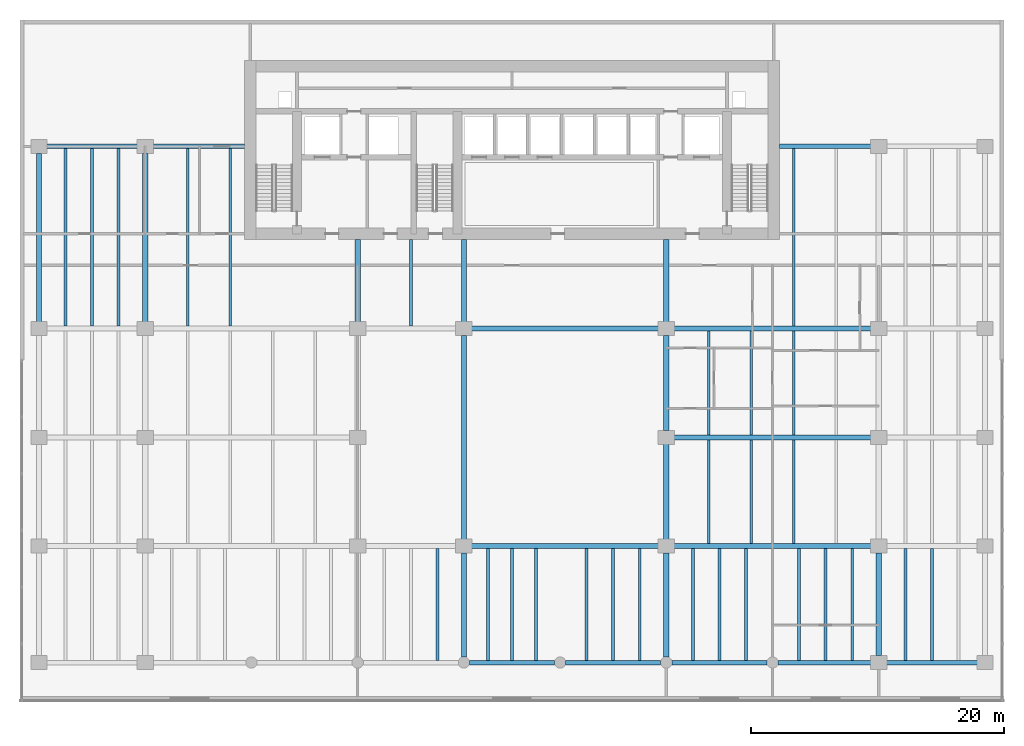
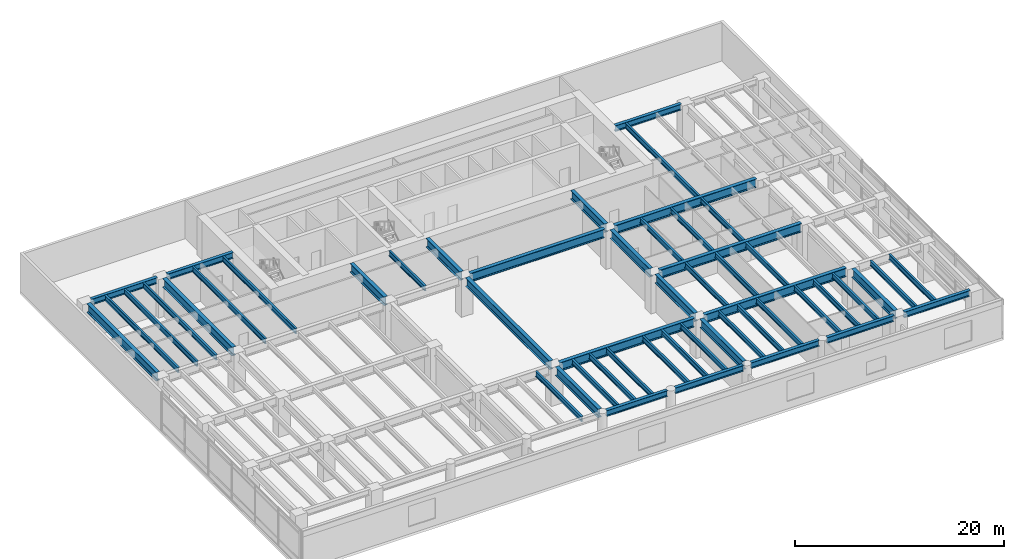
# One storey, part 3 of 13: 52 beams.
"""IFC4 building model written with IfcOpenShell, lengths in metres."""

from ifc_helpers import new_model, si_unit, direction, frame, origin, origin_2d, place, context, subcontext, project, spatial, i_section, extrude, material, material_profile, profile_set, type_object, element, save


model = new_model("IFC4")

# Units and contexts
model_context = context("Model", 3, precision=1e-05, world=origin(), true_north=direction((0.0, 1.0)))
body_context = subcontext(model_context, "Body", "Model", "MODEL_VIEW")
ifc_project = project(units=[si_unit("LENGTHUNIT", "METRE"), si_unit("AREAUNIT", "SQUARE_METRE"), si_unit("VOLUMEUNIT", "CUBIC_METRE"), si_unit("PLANEANGLEUNIT", "RADIAN"), si_unit("MASSUNIT", "GRAM", prefix="KILO")], contexts=[model_context])

# Site, building, storey
site_placement = place(None, origin())
site = spatial("IfcSite", under=ifc_project, at=site_placement, CompositionType="ELEMENT")
building_placement = place(site_placement, origin())
building = spatial("IfcBuilding", under=site, at=building_placement, Name="Caelmar Bay Residences", CompositionType="ELEMENT")
storey_placement = place(building_placement, frame((0.0, 0.0, 5.39990234375)))
storey = spatial("IfcBuildingStorey", under=building, at=storey_placement, Name="L01", CompositionType="ELEMENT", Elevation=5.39990234375)

# Beams
ifc_material = material(Name="Steel ASTM A992 Grade 50", Category="steel")
ifc_material_profile_1 = material_profile(ifc_material, i_section(OverallWidth=0.404052734375, OverallDepth=1.02099609375, WebThickness=0.025390625, FlangeThickness=0.0458984375, FilletRadius=0.02294921875, at=origin_2d()), Name="W40X324")
ifc_profile_set_1 = profile_set([ifc_material_profile_1], Name="Steel ASTM A992 Grade 50")
beam_type_1 = type_object("IfcBeamType", Name="BM-GRD-W40X324", PredefinedType="BEAM", material=ifc_profile_set_1)
beam_1_placement = place(storey_placement, frame((35.639892578125, 12.199951171875, 3.989501953125), z_axis=(1.0, 0.0, 0.0), x_axis=(0.0, 1.0, 0.0)))
element("IfcBeam", 1, at=beam_1_placement, inside=storey, type_object=beam_type_1, Name="L01 East-West Girder Y=12.20 (35.1-51.1)", PredefinedType="BEAM", context=body_context, shape_type="SweptSolid", body=[
    extrude(i_section(OverallWidth=0.404052734375, OverallDepth=1.02099609375, WebThickness=0.025390625, FlangeThickness=0.0458984375, FilletRadius=0.02294921875, at=origin_2d()), origin(), (0.0, 0.0, 1.0), 14.920166015625),
])
for number, where, z_axis, x_axis, name in (
    (2, (51.639892578125, 12.199951171875, 3.989501953125), (1.0, 0.0, 0.0), (0.0, 1.0, 0.0), "L01 East-West Girder Y=12.20 (51.1-67.9)"),
    (3, (51.639892578125, 20.800048828125, 3.989501953125), (1.0, 0.0, 0.0), (0.0, 1.0, 0.0), "L01 East-West Girder Y=20.80 (51.1-67.9)"),
):
    element("IfcBeam", number, at=place(storey_placement, frame(where, z_axis=z_axis, x_axis=x_axis)), inside=storey, type_object=beam_type_1, Name=name, PredefinedType="BEAM", context=body_context, shape_type="SweptSolid", body=[
        extrude(i_section(OverallWidth=0.404052734375, OverallDepth=1.02099609375, WebThickness=0.025390625, FlangeThickness=0.0458984375, FilletRadius=0.02294921875, at=origin_2d()), origin(), (0.0, 0.0, 1.0), 15.72021484375),
    ])
beam_2_placement = place(storey_placement, frame((35.639892578125, 29.39990234375, 3.989501953125), z_axis=(1.0, 0.0, 0.0), x_axis=(0.0, 1.0, 0.0)))
element("IfcBeam", 4, at=beam_2_placement, inside=storey, type_object=beam_type_1, Name="L01 East-West Girder Y=29.40 (35.1-51.1)", PredefinedType="BEAM", context=body_context, shape_type="SweptSolid", body=[
    extrude(i_section(OverallWidth=0.404052734375, OverallDepth=1.02099609375, WebThickness=0.025390625, FlangeThickness=0.0458984375, FilletRadius=0.02294921875, at=origin_2d()), origin(), (0.0, 0.0, 1.0), 14.920166015625),
])
beam_3_placement = place(storey_placement, frame((51.639892578125, 29.39990234375, 3.989501953125), z_axis=(1.0, 0.0, 0.0), x_axis=(0.0, 1.0, 0.0)))
element("IfcBeam", 5, at=beam_3_placement, inside=storey, type_object=beam_type_1, Name="L01 East-West Girder Y=29.40 (51.1-67.9)", PredefinedType="BEAM", context=body_context, shape_type="SweptSolid", body=[
    extrude(i_section(OverallWidth=0.404052734375, OverallDepth=1.02099609375, WebThickness=0.025390625, FlangeThickness=0.0458984375, FilletRadius=0.02294921875, at=origin_2d()), origin(), (0.0, 0.0, 1.0), 15.72021484375),
])
for number, where, z_axis, x_axis, name in (
    (6, (1.5, 29.93994140625, 3.989501953125), (0.0, 1.0, 0.0), (-1.0, 0.0, 0.0), "L01 North-South Girder X=1.50 (29.4-43.8)"),
    (7, (9.89990234375, 29.93994140625, 3.989501953125), (0.0, 1.0, 0.0), (-1.0, 0.0, 0.0), "L01 North-South Girder X=9.90 (29.4-43.8)"),
):
    element("IfcBeam", number, at=place(storey_placement, frame(where, z_axis=z_axis, x_axis=x_axis)), inside=storey, type_object=beam_type_1, Name=name, PredefinedType="BEAM", context=body_context, shape_type="SweptSolid", body=[
        extrude(i_section(OverallWidth=0.404052734375, OverallDepth=1.02099609375, WebThickness=0.025390625, FlangeThickness=0.0458984375, FilletRadius=0.02294921875, at=origin_2d()), origin(), (0.0, 0.0, 1.0), 13.320068359375),
    ])
for number, where, z_axis, x_axis, name in (
    (8, (26.699951171875, 29.93994140625, 3.989501953125), (0.0, 1.0, 0.0), (-1.0, 0.0, 0.0), "L01 Core Tie Girder X=26.70"),
    (9, (35.10009765625, 29.93994140625, 3.989501953125), (0.0, 1.0, 0.0), (-1.0, 0.0, 0.0), "L01 Core Tie Girder X=35.10"),
):
    element("IfcBeam", number, at=place(storey_placement, frame(where, z_axis=z_axis, x_axis=x_axis)), inside=storey, type_object=beam_type_1, Name=name, PredefinedType="BEAM", context=body_context, shape_type="SweptSolid", body=[
        extrude(i_section(OverallWidth=0.404052734375, OverallDepth=1.02099609375, WebThickness=0.025390625, FlangeThickness=0.0458984375, FilletRadius=0.02294921875, at=origin_2d()), origin(), (0.0, 0.0, 1.0), 6.510009765625),
    ])
beam_4_placement = place(storey_placement, frame((35.10009765625, 3.43994140625, 3.989501953125), z_axis=(0.0, 1.0, 0.0), x_axis=(-1.0, 0.0, 0.0)))
element("IfcBeam", 10, at=beam_4_placement, inside=storey, type_object=beam_type_1, Name="L01 North-South Girder X=35.10 (3.0-12.2)", PredefinedType="BEAM", context=body_context, shape_type="SweptSolid", body=[
    extrude(i_section(OverallWidth=0.404052734375, OverallDepth=1.02099609375, WebThickness=0.025390625, FlangeThickness=0.0458984375, FilletRadius=0.02294921875, at=origin_2d()), origin(), (0.0, 0.0, 1.0), 8.219970703125),
])
beam_5_placement = place(storey_placement, frame((35.10009765625, 12.739990234375, 3.989501953125), z_axis=(0.0, 1.0, 0.0), x_axis=(-1.0, 0.0, 0.0)))
element("IfcBeam", 11, at=beam_5_placement, inside=storey, type_object=beam_type_1, Name="L01 North-South Girder X=35.10 (12.2-29.4)", PredefinedType="BEAM", context=body_context, shape_type="SweptSolid", body=[
    extrude(i_section(OverallWidth=0.404052734375, OverallDepth=1.02099609375, WebThickness=0.025390625, FlangeThickness=0.0458984375, FilletRadius=0.02294921875, at=origin_2d()), origin(), (0.0, 0.0, 1.0), 16.1201171875),
])
beam_6_placement = place(storey_placement, frame((51.10009765625, 29.93994140625, 3.989501953125), z_axis=(0.0, 1.0, 0.0), x_axis=(-1.0, 0.0, 0.0)))
element("IfcBeam", 12, at=beam_6_placement, inside=storey, type_object=beam_type_1, Name="L01 Core Tie Girder X=51.10", PredefinedType="BEAM", context=body_context, shape_type="SweptSolid", body=[
    extrude(i_section(OverallWidth=0.404052734375, OverallDepth=1.02099609375, WebThickness=0.025390625, FlangeThickness=0.0458984375, FilletRadius=0.02294921875, at=origin_2d()), origin(), (0.0, 0.0, 1.0), 6.510009765625),
])
beam_7_placement = place(storey_placement, frame((51.10009765625, 3.43994140625, 3.989501953125), z_axis=(0.0, 1.0, 0.0), x_axis=(-1.0, 0.0, 0.0)))
element("IfcBeam", 13, at=beam_7_placement, inside=storey, type_object=beam_type_1, Name="L01 North-South Girder X=51.10 (3.0-12.2)", PredefinedType="BEAM", context=body_context, shape_type="SweptSolid", body=[
    extrude(i_section(OverallWidth=0.404052734375, OverallDepth=1.02099609375, WebThickness=0.025390625, FlangeThickness=0.0458984375, FilletRadius=0.02294921875, at=origin_2d()), origin(), (0.0, 0.0, 1.0), 8.219970703125),
])
for number, where, z_axis, x_axis, name in (
    (14, (51.10009765625, 12.739990234375, 3.989501953125), (0.0, 1.0, 0.0), (-1.0, 0.0, 0.0), "L01 North-South Girder X=51.10 (12.2-20.8)"),
    (15, (51.10009765625, 21.340087890625, 3.989501953125), (0.0, 1.0, 0.0), (-1.0, 0.0, 0.0), "L01 North-South Girder X=51.10 (20.8-29.4)"),
):
    element("IfcBeam", number, at=place(storey_placement, frame(where, z_axis=z_axis, x_axis=x_axis)), inside=storey, type_object=beam_type_1, Name=name, PredefinedType="BEAM", context=body_context, shape_type="SweptSolid", body=[
        extrude(i_section(OverallWidth=0.404052734375, OverallDepth=1.02099609375, WebThickness=0.025390625, FlangeThickness=0.0458984375, FilletRadius=0.02294921875, at=origin_2d()), origin(), (0.0, 0.0, 1.0), 7.52001953125),
    ])
beam_8_placement = place(storey_placement, frame((67.89990234375, 3.5400390625, 3.989501953125), z_axis=(0.0, 1.0, 0.0), x_axis=(-1.0, 0.0, 0.0)))
element("IfcBeam", 16, at=beam_8_placement, inside=storey, type_object=beam_type_1, Name="L01 North-South Girder X=67.90 (3.0-12.2)", PredefinedType="BEAM", context=body_context, shape_type="SweptSolid", body=[
    extrude(i_section(OverallWidth=0.404052734375, OverallDepth=1.02099609375, WebThickness=0.025390625, FlangeThickness=0.0458984375, FilletRadius=0.02294921875, at=origin_2d()), origin(), (0.0, 0.0, 1.0), 8.119873046875),
])
ifc_material_profile_2 = material_profile(ifc_material, i_section(OverallWidth=0.22900390625, OverallDepth=0.612060546875, WebThickness=0.011962890625, FlangeThickness=0.01953125, FilletRadius=0.0126953125, at=origin_2d()), Name="W24X84")
ifc_profile_set_2 = profile_set([ifc_material_profile_2], Name="Steel ASTM A992 Grade 50")
beam_type_2 = type_object("IfcBeamType", Name="BM-JST-W24X84", PredefinedType="JOIST", material=ifc_profile_set_2)
for number, where, z_axis, x_axis, name in (
    (17, (33.0, 3.177978515625, 4.194091796875), (0.0, 1.0, 0.0), (-1.0, 0.0, 0.0), "L01 Composite Floor Joist 12"),
    (18, (37.0, 3.177978515625, 4.194091796875), (0.0, 1.0, 0.0), (-1.0, 0.0, 0.0), "L01 Composite Floor Joist 13"),
    (19, (38.89990234375, 3.177978515625, 4.194091796875), (0.0, 1.0, 0.0), (-1.0, 0.0, 0.0), "L01 Composite Floor Joist 14"),
    (20, (40.800048828125, 3.177978515625, 4.194091796875), (0.0, 1.0, 0.0), (-1.0, 0.0, 0.0), "L01 Composite Floor Joist 15"),
    (21, (44.800048828125, 3.177978515625, 4.194091796875), (0.0, 1.0, 0.0), (-1.0, 0.0, 0.0), "L01 Composite Floor Joist 16"),
    (22, (46.89990234375, 3.177978515625, 4.194091796875), (0.0, 1.0, 0.0), (-1.0, 0.0, 0.0), "L01 Composite Floor Joist 17"),
    (23, (49.0, 3.177978515625, 4.194091796875), (0.0, 1.0, 0.0), (-1.0, 0.0, 0.0), "L01 Composite Floor Joist 18"),
    (24, (53.199951171875, 3.177978515625, 4.194091796875), (0.0, 1.0, 0.0), (-1.0, 0.0, 0.0), "L01 Composite Floor Joist 19"),
    (25, (55.300048828125, 3.177978515625, 4.194091796875), (0.0, 1.0, 0.0), (-1.0, 0.0, 0.0), "L01 Composite Floor Joist 20"),
    (26, (57.39990234375, 3.177978515625, 4.194091796875), (0.0, 1.0, 0.0), (-1.0, 0.0, 0.0), "L01 Composite Floor Joist 21"),
    (27, (61.60009765625, 3.177978515625, 4.194091796875), (0.0, 1.0, 0.0), (-1.0, 0.0, 0.0), "L01 Composite Floor Joist 22"),
    (28, (63.699951171875, 3.177978515625, 4.194091796875), (0.0, 1.0, 0.0), (-1.0, 0.0, 0.0), "L01 Composite Floor Joist 23"),
    (29, (65.800048828125, 3.177978515625, 4.194091796875), (0.0, 1.0, 0.0), (-1.0, 0.0, 0.0), "L01 Composite Floor Joist 24"),
    (30, (70.0, 3.177978515625, 4.194091796875), (0.0, 1.0, 0.0), (-1.0, 0.0, 0.0), "L01 Composite Floor Joist 25"),
    (31, (72.10009765625, 3.177978515625, 4.194091796875), (0.0, 1.0, 0.0), (-1.0, 0.0, 0.0), "L01 Composite Floor Joist 26"),
):
    element("IfcBeam", number, at=place(storey_placement, frame(where, z_axis=z_axis, x_axis=x_axis)), inside=storey, type_object=beam_type_2, Name=name, PredefinedType="JOIST", context=body_context, shape_type="SweptSolid", body=[
        extrude(i_section(OverallWidth=0.22900390625, OverallDepth=0.612060546875, WebThickness=0.011962890625, FlangeThickness=0.01953125, FilletRadius=0.0126953125, at=origin_2d()), origin(), (0.0, 0.0, 1.0), 8.820068359375),
    ])
for number, where, z_axis, x_axis, name in (
    (32, (54.4599609375, 12.402099609375, 4.194091796875), (0.0, 1.0, 0.0), (-1.0, 0.0, 0.0), "L01 Composite Floor Joist 35"),
    (33, (57.820068359375, 12.402099609375, 4.194091796875), (0.0, 1.0, 0.0), (-1.0, 0.0, 0.0), "L01 Composite Floor Joist 36"),
    (34, (61.179931640625, 12.402099609375, 4.194091796875), (0.0, 1.0, 0.0), (-1.0, 0.0, 0.0), "L01 Composite Floor Joist 37"),
):
    element("IfcBeam", number, at=place(storey_placement, frame(where, z_axis=z_axis, x_axis=x_axis)), inside=storey, type_object=beam_type_2, Name=name, PredefinedType="JOIST", context=body_context, shape_type="SweptSolid", body=[
        extrude(i_section(OverallWidth=0.22900390625, OverallDepth=0.612060546875, WebThickness=0.011962890625, FlangeThickness=0.01953125, FilletRadius=0.0126953125, at=origin_2d()), origin(), (0.0, 0.0, 1.0), 8.19580078125),
    ])
for number, where, z_axis, x_axis, name in (
    (35, (54.4599609375, 21.001953125, 4.194091796875), (0.0, 1.0, 0.0), (-1.0, 0.0, 0.0), "L01 Composite Floor Joist 49"),
    (36, (57.820068359375, 21.001953125, 4.194091796875), (0.0, 1.0, 0.0), (-1.0, 0.0, 0.0), "L01 Composite Floor Joist 50"),
    (37, (61.179931640625, 21.001953125, 4.194091796875), (0.0, 1.0, 0.0), (-1.0, 0.0, 0.0), "L01 Composite Floor Joist 51"),
):
    element("IfcBeam", number, at=place(storey_placement, frame(where, z_axis=z_axis, x_axis=x_axis)), inside=storey, type_object=beam_type_2, Name=name, PredefinedType="JOIST", context=body_context, shape_type="SweptSolid", body=[
        extrude(i_section(OverallWidth=0.22900390625, OverallDepth=0.612060546875, WebThickness=0.011962890625, FlangeThickness=0.01953125, FilletRadius=0.0126953125, at=origin_2d()), origin(), (0.0, 0.0, 1.0), 8.196044921875),
    ])
beam_9_placement = place(storey_placement, frame((30.89990234375, 29.60205078125, 4.194091796875), z_axis=(0.0, 1.0, 0.0), x_axis=(-1.0, 0.0, 0.0)))
element("IfcBeam", 38, at=beam_9_placement, inside=storey, type_object=beam_type_2, Name="L01 Core-Band Composite Joist 56", PredefinedType="JOIST", context=body_context, shape_type="SweptSolid", body=[
    extrude(i_section(OverallWidth=0.22900390625, OverallDepth=0.612060546875, WebThickness=0.011962890625, FlangeThickness=0.01953125, FilletRadius=0.0126953125, at=origin_2d()), origin(), (0.0, 0.0, 1.0), 6.847900390625),
])
for number, where, z_axis, x_axis, name in (
    (39, (3.60009765625, 29.60205078125, 4.194091796875), (0.0, 1.0, 0.0), (-1.0, 0.0, 0.0), "L01 Composite Floor Joist 57"),
    (40, (5.699951171875, 29.60205078125, 4.194091796875), (0.0, 1.0, 0.0), (-1.0, 0.0, 0.0), "L01 Composite Floor Joist 58"),
    (41, (7.800048828125, 29.60205078125, 4.194091796875), (0.0, 1.0, 0.0), (-1.0, 0.0, 0.0), "L01 Composite Floor Joist 59"),
    (42, (13.260009765625, 29.60205078125, 4.194091796875), (0.0, 1.0, 0.0), (-1.0, 0.0, 0.0), "L01 Composite Floor Joist 60"),
    (43, (16.6201171875, 29.60205078125, 4.194091796875), (0.0, 1.0, 0.0), (-1.0, 0.0, 0.0), "L01 Composite Floor Joist 61"),
    (44, (61.179931640625, 29.60205078125, 4.194091796875), (0.0, 1.0, 0.0), (-1.0, 0.0, 0.0), "L01 Composite Floor Joist 62"),
):
    element("IfcBeam", number, at=place(storey_placement, frame(where, z_axis=z_axis, x_axis=x_axis)), inside=storey, type_object=beam_type_2, Name=name, PredefinedType="JOIST", context=body_context, shape_type="SweptSolid", body=[
        extrude(i_section(OverallWidth=0.22900390625, OverallDepth=0.612060546875, WebThickness=0.011962890625, FlangeThickness=0.01953125, FilletRadius=0.0126953125, at=origin_2d()), origin(), (0.0, 0.0, 1.0), 14.02001953125),
    ])
ifc_material_profile_3 = material_profile(ifc_material, i_section(OverallWidth=0.35595703125, OverallDepth=0.696044921875, WebThickness=0.015380859375, FlangeThickness=0.02490234375, FilletRadius=0.01513671875, at=origin_2d()), Name="W27X146")
ifc_profile_set_3 = profile_set([ifc_material_profile_3], Name="Steel ASTM A992 Grade 50")
beam_type_3 = type_object("IfcBeamType", Name="BM-SPN-W27X146", PredefinedType="SPANDREL", material=ifc_profile_set_3)
beam_10_placement = place(storey_placement, frame((35.5400390625, 3.0, 4.152099609375), z_axis=(1.0, 0.0, 0.0), x_axis=(0.0, 1.0, 0.0)))
element("IfcBeam", 45, at=beam_10_placement, inside=storey, type_object=beam_type_3, Name="L01 East-West Girder Y=3.00 (35.1-42.7)", PredefinedType="SPANDREL", context=body_context, shape_type="SweptSolid", body=[
    extrude(i_section(OverallWidth=0.35595703125, OverallDepth=0.696044921875, WebThickness=0.015380859375, FlangeThickness=0.02490234375, FilletRadius=0.01513671875, at=origin_2d()), origin(), (0.0, 0.0, 1.0), 6.719970703125),
])
for number, where, z_axis, x_axis, name in (
    (46, (43.139892578125, 3.0, 4.152099609375), (1.0, 0.0, 0.0), (0.0, 1.0, 0.0), "L01 East-West Girder Y=3.00 (42.7-51.1)"),
    (47, (51.5400390625, 3.0, 4.152099609375), (1.0, 0.0, 0.0), (0.0, 1.0, 0.0), "L01 East-West Girder Y=3.00 (51.1-59.5)"),
):
    element("IfcBeam", number, at=place(storey_placement, frame(where, z_axis=z_axis, x_axis=x_axis)), inside=storey, type_object=beam_type_3, Name=name, PredefinedType="SPANDREL", context=body_context, shape_type="SweptSolid", body=[
        extrude(i_section(OverallWidth=0.35595703125, OverallDepth=0.696044921875, WebThickness=0.015380859375, FlangeThickness=0.02490234375, FilletRadius=0.01513671875, at=origin_2d()), origin(), (0.0, 0.0, 1.0), 7.52001953125),
    ])
beam_11_placement = place(storey_placement, frame((59.93994140625, 3.0, 4.152099609375), z_axis=(1.0, 0.0, 0.0), x_axis=(0.0, 1.0, 0.0)))
element("IfcBeam", 48, at=beam_11_placement, inside=storey, type_object=beam_type_3, Name="L01 East-West Girder Y=3.00 (59.5-67.9)", PredefinedType="SPANDREL", context=body_context, shape_type="SweptSolid", body=[
    extrude(i_section(OverallWidth=0.35595703125, OverallDepth=0.696044921875, WebThickness=0.015380859375, FlangeThickness=0.02490234375, FilletRadius=0.01513671875, at=origin_2d()), origin(), (0.0, 0.0, 1.0), 7.420166015625),
])
for number, where, z_axis, x_axis, name in (
    (49, (68.43994140625, 3.0, 4.152099609375), (1.0, 0.0, 0.0), (0.0, 1.0, 0.0), "L01 East-West Girder Y=3.00 (67.9-76.3)"),
    (50, (2.0400390625, 43.800048828125, 4.152099609375), (1.0, 0.0, 0.0), (0.0, 1.0, 0.0), "L01 East-West Girder Y=43.80 (1.5-9.9)"),
):
    element("IfcBeam", number, at=place(storey_placement, frame(where, z_axis=z_axis, x_axis=x_axis)), inside=storey, type_object=beam_type_3, Name=name, PredefinedType="SPANDREL", context=body_context, shape_type="SweptSolid", body=[
        extrude(i_section(OverallWidth=0.35595703125, OverallDepth=0.696044921875, WebThickness=0.015380859375, FlangeThickness=0.02490234375, FilletRadius=0.01513671875, at=origin_2d()), origin(), (0.0, 0.0, 1.0), 7.320068359375),
    ])
for number, where, z_axis, x_axis, name in (
    (51, (10.43994140625, 43.800048828125, 4.152099609375), (1.0, 0.0, 0.0), (0.0, 1.0, 0.0), "L01 North-West Wing Core Tie Girder"),
    (52, (60.050048828125, 43.800048828125, 4.152099609375), (1.0, 0.0, 0.0), (0.0, 1.0, 0.0), "L01 North-East Wing Core Tie Girder"),
):
    element("IfcBeam", number, at=place(storey_placement, frame(where, z_axis=z_axis, x_axis=x_axis)), inside=storey, type_object=beam_type_3, Name=name, PredefinedType="SPANDREL", context=body_context, shape_type="SweptSolid", body=[
        extrude(i_section(OverallWidth=0.35595703125, OverallDepth=0.696044921875, WebThickness=0.015380859375, FlangeThickness=0.02490234375, FilletRadius=0.01513671875, at=origin_2d()), origin(), (0.0, 0.0, 1.0), 7.31005859375),
    ])

save(model, "model.ifc")
